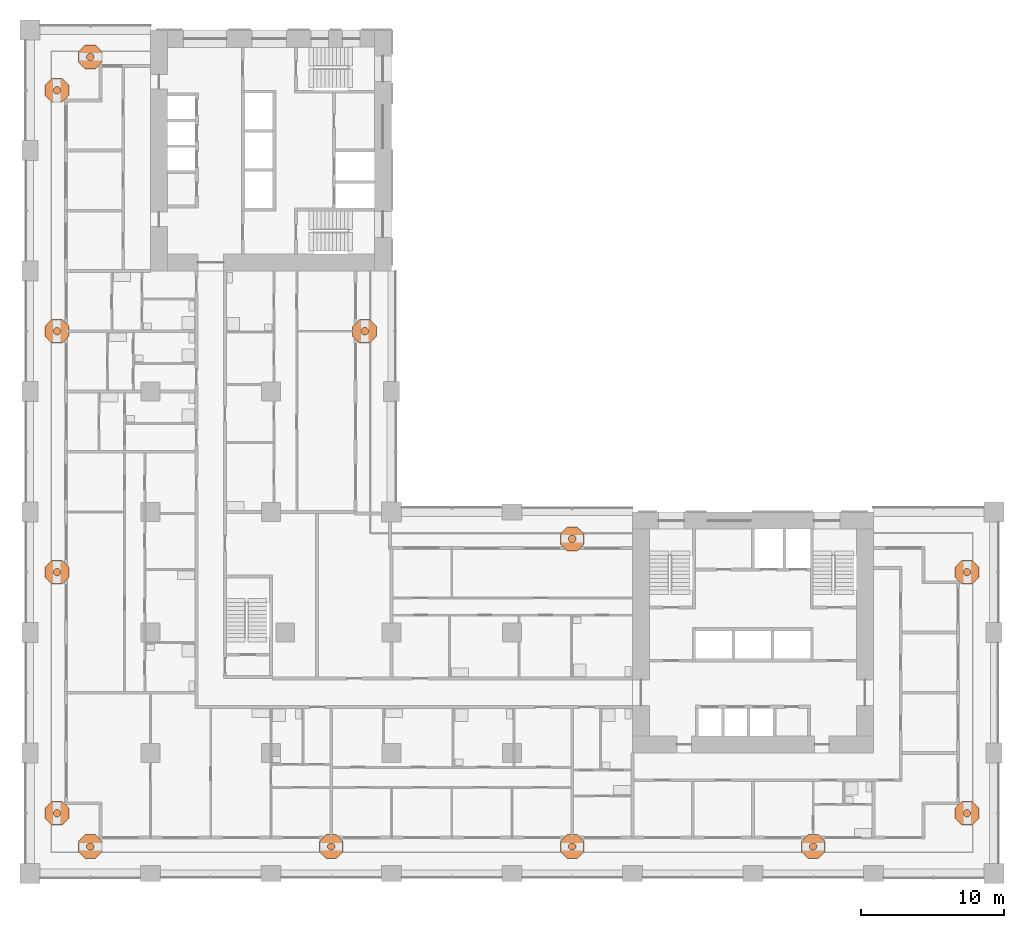
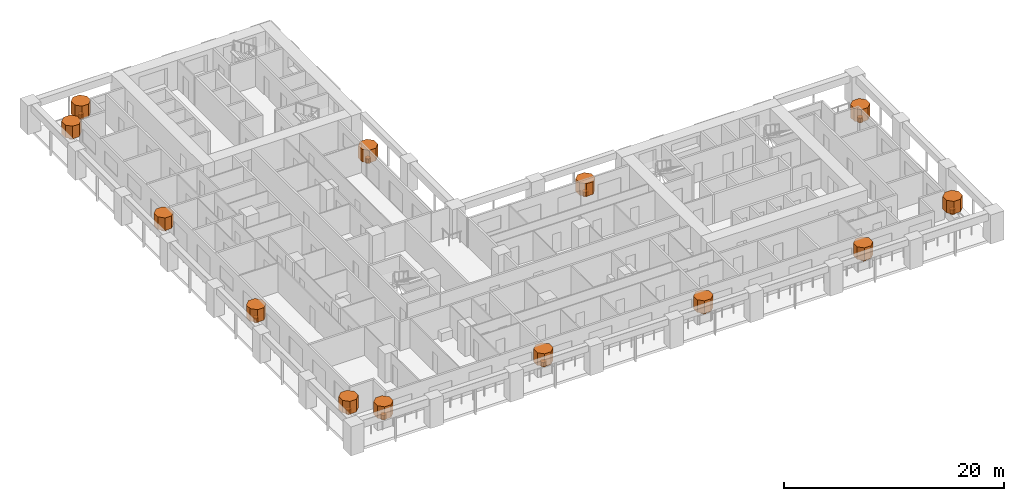
# One storey, part 19 of 19: 26 geographic elements.
"""IFC4 building model written with IfcOpenShell, lengths in metres."""

from ifc_helpers import new_model, si_unit, direction, frame, origin, place, context, subcontext, project, spatial, polyline, outline, extrude, material, element, save


model = new_model("IFC4")

# Units and contexts
model_context = context("Model", 3, precision=1e-05, world=origin(), true_north=direction((0.0, 1.0)))
body_context = subcontext(model_context, "Body", "Model", "MODEL_VIEW")
ifc_project = project(units=[si_unit("LENGTHUNIT", "METRE"), si_unit("AREAUNIT", "SQUARE_METRE"), si_unit("VOLUMEUNIT", "CUBIC_METRE"), si_unit("PLANEANGLEUNIT", "RADIAN"), si_unit("MASSUNIT", "GRAM", prefix="KILO")], contexts=[model_context])

# Site, building, storey
site_placement = place(None, origin())
site = spatial("IfcSite", under=ifc_project, at=site_placement, CompositionType="ELEMENT")
building_placement = place(site_placement, origin())
building = spatial("IfcBuilding", under=site, at=building_placement, Name="Vermilion Gate Residences", CompositionType="ELEMENT")
storey_placement = place(building_placement, frame((0.0, 0.0, 28.699951171875)))
storey = spatial("IfcBuildingStorey", under=building, at=storey_placement, Name="L05", CompositionType="ELEMENT", Elevation=28.699951171875)

# Geographic elements
ifc_material = material(Name="Foliage")
geographic_element_1_placement = place(storey_placement, frame((0.0, 0.0, 0.900146484375)))
element("IfcGeographicElement", 1, at=geographic_element_1_placement, inside=storey, material=ifc_material, Name="Tree (black pine)", ObjectType="TREE", PredefinedType="USERDEFINED", context=body_context, shape_type="SweptSolid", body=[
    extrude(outline(polyline([(4.4541015625, 1.980224609375), (4.30517578125, 2.129150390625), (4.0947265625, 2.129150390625), (3.94580078125, 1.980224609375), (3.94580078125, 1.769775390625), (4.0947265625, 1.620849609375), (4.30517578125, 1.620849609375), (4.4541015625, 1.769775390625), (4.4541015625, 1.980224609375)])), origin(), (0.0, 0.0, 1.0), 0.52001953125),
])
geographic_element_2_placement = place(storey_placement, frame((0.0, 0.0, 1.420166015625)))
element("IfcGeographicElement", 2, at=geographic_element_2_placement, inside=storey, material=ifc_material, Name="Tree crown (black pine)", ObjectType="TREE", PredefinedType="USERDEFINED", context=body_context, shape_type="SweptSolid", body=[
    extrude(outline(polyline([(5.031494140625, 2.219482421875), (4.54443359375, 2.70654296875), (3.855712890625, 2.70654296875), (3.368408203125, 2.219482421875), (3.368408203125, 1.530517578125), (3.855712890625, 1.04345703125), (4.54443359375, 1.04345703125), (5.031494140625, 1.530517578125), (5.031494140625, 2.219482421875)])), origin(), (0.0, 0.0, 1.0), 1.39990234375),
])
geographic_element_3_placement = place(storey_placement, frame((0.0, 0.0, 0.900146484375)))
element("IfcGeographicElement", 3, at=geographic_element_3_placement, inside=storey, material=ifc_material, Name="Tree (maple)", ObjectType="TREE", PredefinedType="USERDEFINED", context=body_context, shape_type="SweptSolid", body=[
    extrude(outline(polyline([(21.254150390625, 1.980224609375), (21.105224609375, 2.129150390625), (20.894775390625, 2.129150390625), (20.745849609375, 1.980224609375), (20.745849609375, 1.769775390625), (20.894775390625, 1.620849609375), (21.105224609375, 1.620849609375), (21.254150390625, 1.769775390625), (21.254150390625, 1.980224609375)])), origin(), (0.0, 0.0, 1.0), 0.52001953125),
])
geographic_element_4_placement = place(storey_placement, frame((0.0, 0.0, 1.420166015625)))
element("IfcGeographicElement", 4, at=geographic_element_4_placement, inside=storey, material=ifc_material, Name="Tree crown (maple)", ObjectType="TREE", PredefinedType="USERDEFINED", context=body_context, shape_type="SweptSolid", body=[
    extrude(outline(polyline([(21.83154296875, 2.219482421875), (21.344482421875, 2.70654296875), (20.655517578125, 2.70654296875), (20.16845703125, 2.219482421875), (20.16845703125, 1.530517578125), (20.655517578125, 1.04345703125), (21.344482421875, 1.04345703125), (21.83154296875, 1.530517578125), (21.83154296875, 2.219482421875)])), origin(), (0.0, 0.0, 1.0), 1.39990234375),
])
geographic_element_5_placement = place(storey_placement, frame((0.0, 0.0, 0.900146484375)))
element("IfcGeographicElement", 5, at=geographic_element_5_placement, inside=storey, material=ifc_material, Name="Tree (black pine)", ObjectType="TREE", PredefinedType="USERDEFINED", context=body_context, shape_type="SweptSolid", body=[
    extrude(outline(polyline([(38.05419921875, 1.980224609375), (37.9052734375, 2.129150390625), (37.69482421875, 2.129150390625), (37.5458984375, 1.980224609375), (37.5458984375, 1.769775390625), (37.69482421875, 1.620849609375), (37.9052734375, 1.620849609375), (38.05419921875, 1.769775390625), (38.05419921875, 1.980224609375)])), origin(), (0.0, 0.0, 1.0), 0.52001953125),
])
geographic_element_6_placement = place(storey_placement, frame((0.0, 0.0, 1.420166015625)))
element("IfcGeographicElement", 6, at=geographic_element_6_placement, inside=storey, material=ifc_material, Name="Tree crown (black pine)", ObjectType="TREE", PredefinedType="USERDEFINED", context=body_context, shape_type="SweptSolid", body=[
    extrude(outline(polyline([(38.631591796875, 2.219482421875), (38.144287109375, 2.70654296875), (37.45556640625, 2.70654296875), (36.968505859375, 2.219482421875), (36.968505859375, 1.530517578125), (37.45556640625, 1.04345703125), (38.144287109375, 1.04345703125), (38.631591796875, 1.530517578125), (38.631591796875, 2.219482421875)])), origin(), (0.0, 0.0, 1.0), 1.39990234375),
])
geographic_element_7_placement = place(storey_placement, frame((0.0, 0.0, 0.900146484375)))
element("IfcGeographicElement", 7, at=geographic_element_7_placement, inside=storey, material=ifc_material, Name="Tree (maple)", ObjectType="TREE", PredefinedType="USERDEFINED", context=body_context, shape_type="SweptSolid", body=[
    extrude(outline(polyline([(54.85400390625, 1.980224609375), (54.705078125, 2.129150390625), (54.494873046875, 2.129150390625), (54.345947265625, 1.980224609375), (54.345947265625, 1.769775390625), (54.494873046875, 1.620849609375), (54.705078125, 1.620849609375), (54.85400390625, 1.769775390625), (54.85400390625, 1.980224609375)])), origin(), (0.0, 0.0, 1.0), 0.52001953125),
])
geographic_element_8_placement = place(storey_placement, frame((0.0, 0.0, 1.420166015625)))
element("IfcGeographicElement", 8, at=geographic_element_8_placement, inside=storey, material=ifc_material, Name="Tree crown (maple)", ObjectType="TREE", PredefinedType="USERDEFINED", context=body_context, shape_type="SweptSolid", body=[
    extrude(outline(polyline([(55.431396484375, 2.219482421875), (54.9443359375, 2.70654296875), (54.255615234375, 2.70654296875), (53.7685546875, 2.219482421875), (53.7685546875, 1.530517578125), (54.255615234375, 1.04345703125), (54.9443359375, 1.04345703125), (55.431396484375, 1.530517578125), (55.431396484375, 2.219482421875)])), origin(), (0.0, 0.0, 1.0), 1.39990234375),
])
geographic_element_9_placement = place(storey_placement, frame((0.0, 0.0, 0.900146484375)))
element("IfcGeographicElement", 9, at=geographic_element_9_placement, inside=storey, material=ifc_material, Name="Tree (black pine)", ObjectType="TREE", PredefinedType="USERDEFINED", context=body_context, shape_type="SweptSolid", body=[
    extrude(outline(polyline([(65.5791015625, 4.30517578125), (65.43017578125, 4.4541015625), (65.2197265625, 4.4541015625), (65.07080078125, 4.30517578125), (65.07080078125, 4.0947265625), (65.2197265625, 3.94580078125), (65.43017578125, 3.94580078125), (65.5791015625, 4.0947265625), (65.5791015625, 4.30517578125)])), origin(), (0.0, 0.0, 1.0), 0.52001953125),
])
geographic_element_10_placement = place(storey_placement, frame((0.0, 0.0, 1.420166015625)))
element("IfcGeographicElement", 10, at=geographic_element_10_placement, inside=storey, material=ifc_material, Name="Tree crown (black pine)", ObjectType="TREE", PredefinedType="USERDEFINED", context=body_context, shape_type="SweptSolid", body=[
    extrude(outline(polyline([(66.156494140625, 4.54443359375), (65.66943359375, 5.031494140625), (64.980712890625, 5.031494140625), (64.493408203125, 4.54443359375), (64.493408203125, 3.855712890625), (64.980712890625, 3.368408203125), (65.66943359375, 3.368408203125), (66.156494140625, 3.855712890625), (66.156494140625, 4.54443359375)])), origin(), (0.0, 0.0, 1.0), 1.39990234375),
])
geographic_element_11_placement = place(storey_placement, frame((0.0, 0.0, 0.900146484375)))
element("IfcGeographicElement", 11, at=geographic_element_11_placement, inside=storey, material=ifc_material, Name="Tree (maple)", ObjectType="TREE", PredefinedType="USERDEFINED", context=body_context, shape_type="SweptSolid", body=[
    extrude(outline(polyline([(65.5791015625, 21.105224609375), (65.43017578125, 21.254150390625), (65.2197265625, 21.254150390625), (65.07080078125, 21.105224609375), (65.07080078125, 20.894775390625), (65.2197265625, 20.745849609375), (65.43017578125, 20.745849609375), (65.5791015625, 20.894775390625), (65.5791015625, 21.105224609375)])), origin(), (0.0, 0.0, 1.0), 0.52001953125),
])
geographic_element_12_placement = place(storey_placement, frame((0.0, 0.0, 1.420166015625)))
element("IfcGeographicElement", 12, at=geographic_element_12_placement, inside=storey, material=ifc_material, Name="Tree crown (maple)", ObjectType="TREE", PredefinedType="USERDEFINED", context=body_context, shape_type="SweptSolid", body=[
    extrude(outline(polyline([(66.156494140625, 21.344482421875), (65.66943359375, 21.83154296875), (64.980712890625, 21.83154296875), (64.493408203125, 21.344482421875), (64.493408203125, 20.655517578125), (64.980712890625, 20.16845703125), (65.66943359375, 20.16845703125), (66.156494140625, 20.655517578125), (66.156494140625, 21.344482421875)])), origin(), (0.0, 0.0, 1.0), 1.39990234375),
])
geographic_element_13_placement = place(storey_placement, frame((0.0, 0.0, 0.900146484375)))
element("IfcGeographicElement", 13, at=geographic_element_13_placement, inside=storey, material=ifc_material, Name="Tree (black pine)", ObjectType="TREE", PredefinedType="USERDEFINED", context=body_context, shape_type="SweptSolid", body=[
    extrude(outline(polyline([(38.05419921875, 23.43017578125), (37.9052734375, 23.5791015625), (37.69482421875, 23.5791015625), (37.5458984375, 23.43017578125), (37.5458984375, 23.2197265625), (37.69482421875, 23.07080078125), (37.9052734375, 23.07080078125), (38.05419921875, 23.2197265625), (38.05419921875, 23.43017578125)])), origin(), (0.0, 0.0, 1.0), 0.52001953125),
])
geographic_element_14_placement = place(storey_placement, frame((0.0, 0.0, 1.420166015625)))
element("IfcGeographicElement", 14, at=geographic_element_14_placement, inside=storey, material=ifc_material, Name="Tree crown (black pine)", ObjectType="TREE", PredefinedType="USERDEFINED", context=body_context, shape_type="SweptSolid", body=[
    extrude(outline(polyline([(38.631591796875, 23.66943359375), (38.144287109375, 24.156494140625), (37.45556640625, 24.156494140625), (36.968505859375, 23.66943359375), (36.968505859375, 22.980712890625), (37.45556640625, 22.493408203125), (38.144287109375, 22.493408203125), (38.631591796875, 22.980712890625), (38.631591796875, 23.66943359375)])), origin(), (0.0, 0.0, 1.0), 1.39990234375),
])
geographic_element_15_placement = place(storey_placement, frame((0.0, 0.0, 0.900146484375)))
element("IfcGeographicElement", 15, at=geographic_element_15_placement, inside=storey, material=ifc_material, Name="Tree (black pine)", ObjectType="TREE", PredefinedType="USERDEFINED", context=body_context, shape_type="SweptSolid", body=[
    extrude(outline(polyline([(23.5791015625, 37.9052734375), (23.43017578125, 38.05419921875), (23.2197265625, 38.05419921875), (23.07080078125, 37.9052734375), (23.07080078125, 37.69482421875), (23.2197265625, 37.5458984375), (23.43017578125, 37.5458984375), (23.5791015625, 37.69482421875), (23.5791015625, 37.9052734375)])), origin(), (0.0, 0.0, 1.0), 0.52001953125),
])
geographic_element_16_placement = place(storey_placement, frame((0.0, 0.0, 1.420166015625)))
element("IfcGeographicElement", 16, at=geographic_element_16_placement, inside=storey, material=ifc_material, Name="Tree crown (black pine)", ObjectType="TREE", PredefinedType="USERDEFINED", context=body_context, shape_type="SweptSolid", body=[
    extrude(outline(polyline([(24.156494140625, 38.144287109375), (23.66943359375, 38.631591796875), (22.980712890625, 38.631591796875), (22.493408203125, 38.144287109375), (22.493408203125, 37.45556640625), (22.980712890625, 36.968505859375), (23.66943359375, 36.968505859375), (24.156494140625, 37.45556640625), (24.156494140625, 38.144287109375)])), origin(), (0.0, 0.0, 1.0), 1.39990234375),
])
geographic_element_17_placement = place(storey_placement, frame((0.0, 0.0, 0.900146484375)))
element("IfcGeographicElement", 17, at=geographic_element_17_placement, inside=storey, material=ifc_material, Name="Tree (black pine)", ObjectType="TREE", PredefinedType="USERDEFINED", context=body_context, shape_type="SweptSolid", body=[
    extrude(outline(polyline([(4.4541015625, 57.0302734375), (4.30517578125, 57.17919921875), (4.0947265625, 57.17919921875), (3.94580078125, 57.0302734375), (3.94580078125, 56.81982421875), (4.0947265625, 56.6708984375), (4.30517578125, 56.6708984375), (4.4541015625, 56.81982421875), (4.4541015625, 57.0302734375)])), origin(), (0.0, 0.0, 1.0), 0.52001953125),
])
geographic_element_18_placement = place(storey_placement, frame((0.0, 0.0, 1.420166015625)))
element("IfcGeographicElement", 18, at=geographic_element_18_placement, inside=storey, material=ifc_material, Name="Tree crown (black pine)", ObjectType="TREE", PredefinedType="USERDEFINED", context=body_context, shape_type="SweptSolid", body=[
    extrude(outline(polyline([(5.031494140625, 57.269287109375), (4.54443359375, 57.756591796875), (3.855712890625, 57.756591796875), (3.368408203125, 57.269287109375), (3.368408203125, 56.58056640625), (3.855712890625, 56.093505859375), (4.54443359375, 56.093505859375), (5.031494140625, 56.58056640625), (5.031494140625, 57.269287109375)])), origin(), (0.0, 0.0, 1.0), 1.39990234375),
])
geographic_element_19_placement = place(storey_placement, frame((0.0, 0.0, 0.900146484375)))
element("IfcGeographicElement", 19, at=geographic_element_19_placement, inside=storey, material=ifc_material, Name="Tree (black pine)", ObjectType="TREE", PredefinedType="USERDEFINED", context=body_context, shape_type="SweptSolid", body=[
    extrude(outline(polyline([(2.129150390625, 4.30517578125), (1.980224609375, 4.4541015625), (1.769775390625, 4.4541015625), (1.620849609375, 4.30517578125), (1.620849609375, 4.0947265625), (1.769775390625, 3.94580078125), (1.980224609375, 3.94580078125), (2.129150390625, 4.0947265625), (2.129150390625, 4.30517578125)])), origin(), (0.0, 0.0, 1.0), 0.52001953125),
])
geographic_element_20_placement = place(storey_placement, frame((0.0, 0.0, 1.420166015625)))
element("IfcGeographicElement", 20, at=geographic_element_20_placement, inside=storey, material=ifc_material, Name="Tree crown (black pine)", ObjectType="TREE", PredefinedType="USERDEFINED", context=body_context, shape_type="SweptSolid", body=[
    extrude(outline(polyline([(2.70654296875, 4.54443359375), (2.219482421875, 5.031494140625), (1.530517578125, 5.031494140625), (1.04345703125, 4.54443359375), (1.04345703125, 3.855712890625), (1.530517578125, 3.368408203125), (2.219482421875, 3.368408203125), (2.70654296875, 3.855712890625), (2.70654296875, 4.54443359375)])), origin(), (0.0, 0.0, 1.0), 1.39990234375),
])
geographic_element_21_placement = place(storey_placement, frame((0.0, 0.0, 0.900146484375)))
element("IfcGeographicElement", 21, at=geographic_element_21_placement, inside=storey, material=ifc_material, Name="Tree (maple)", ObjectType="TREE", PredefinedType="USERDEFINED", context=body_context, shape_type="SweptSolid", body=[
    extrude(outline(polyline([(2.129150390625, 21.105224609375), (1.980224609375, 21.254150390625), (1.769775390625, 21.254150390625), (1.620849609375, 21.105224609375), (1.620849609375, 20.894775390625), (1.769775390625, 20.745849609375), (1.980224609375, 20.745849609375), (2.129150390625, 20.894775390625), (2.129150390625, 21.105224609375)])), origin(), (0.0, 0.0, 1.0), 0.52001953125),
])
geographic_element_22_placement = place(storey_placement, frame((0.0, 0.0, 1.420166015625)))
element("IfcGeographicElement", 22, at=geographic_element_22_placement, inside=storey, material=ifc_material, Name="Tree crown (maple)", ObjectType="TREE", PredefinedType="USERDEFINED", context=body_context, shape_type="SweptSolid", body=[
    extrude(outline(polyline([(2.70654296875, 21.344482421875), (2.219482421875, 21.83154296875), (1.530517578125, 21.83154296875), (1.04345703125, 21.344482421875), (1.04345703125, 20.655517578125), (1.530517578125, 20.16845703125), (2.219482421875, 20.16845703125), (2.70654296875, 20.655517578125), (2.70654296875, 21.344482421875)])), origin(), (0.0, 0.0, 1.0), 1.39990234375),
])
geographic_element_23_placement = place(storey_placement, frame((0.0, 0.0, 0.900146484375)))
element("IfcGeographicElement", 23, at=geographic_element_23_placement, inside=storey, material=ifc_material, Name="Tree (black pine)", ObjectType="TREE", PredefinedType="USERDEFINED", context=body_context, shape_type="SweptSolid", body=[
    extrude(outline(polyline([(2.129150390625, 37.9052734375), (1.980224609375, 38.05419921875), (1.769775390625, 38.05419921875), (1.620849609375, 37.9052734375), (1.620849609375, 37.69482421875), (1.769775390625, 37.5458984375), (1.980224609375, 37.5458984375), (2.129150390625, 37.69482421875), (2.129150390625, 37.9052734375)])), origin(), (0.0, 0.0, 1.0), 0.52001953125),
])
geographic_element_24_placement = place(storey_placement, frame((0.0, 0.0, 1.420166015625)))
element("IfcGeographicElement", 24, at=geographic_element_24_placement, inside=storey, material=ifc_material, Name="Tree crown (black pine)", ObjectType="TREE", PredefinedType="USERDEFINED", context=body_context, shape_type="SweptSolid", body=[
    extrude(outline(polyline([(2.70654296875, 38.144287109375), (2.219482421875, 38.631591796875), (1.530517578125, 38.631591796875), (1.04345703125, 38.144287109375), (1.04345703125, 37.45556640625), (1.530517578125, 36.968505859375), (2.219482421875, 36.968505859375), (2.70654296875, 37.45556640625), (2.70654296875, 38.144287109375)])), origin(), (0.0, 0.0, 1.0), 1.39990234375),
])
geographic_element_25_placement = place(storey_placement, frame((0.0, 0.0, 0.900146484375)))
element("IfcGeographicElement", 25, at=geographic_element_25_placement, inside=storey, material=ifc_material, Name="Tree (maple)", ObjectType="TREE", PredefinedType="USERDEFINED", context=body_context, shape_type="SweptSolid", body=[
    extrude(outline(polyline([(2.129150390625, 54.705078125), (1.980224609375, 54.85400390625), (1.769775390625, 54.85400390625), (1.620849609375, 54.705078125), (1.620849609375, 54.494873046875), (1.769775390625, 54.345947265625), (1.980224609375, 54.345947265625), (2.129150390625, 54.494873046875), (2.129150390625, 54.705078125)])), origin(), (0.0, 0.0, 1.0), 0.52001953125),
])
geographic_element_26_placement = place(storey_placement, frame((0.0, 0.0, 1.420166015625)))
element("IfcGeographicElement", 26, at=geographic_element_26_placement, inside=storey, material=ifc_material, Name="Tree crown (maple)", ObjectType="TREE", PredefinedType="USERDEFINED", context=body_context, shape_type="SweptSolid", body=[
    extrude(outline(polyline([(2.70654296875, 54.9443359375), (2.219482421875, 55.431396484375), (1.530517578125, 55.431396484375), (1.04345703125, 54.9443359375), (1.04345703125, 54.255615234375), (1.530517578125, 53.7685546875), (2.219482421875, 53.7685546875), (2.70654296875, 54.255615234375), (2.70654296875, 54.9443359375)])), origin(), (0.0, 0.0, 1.0), 1.39990234375),
])

save(model, "model.ifc")
